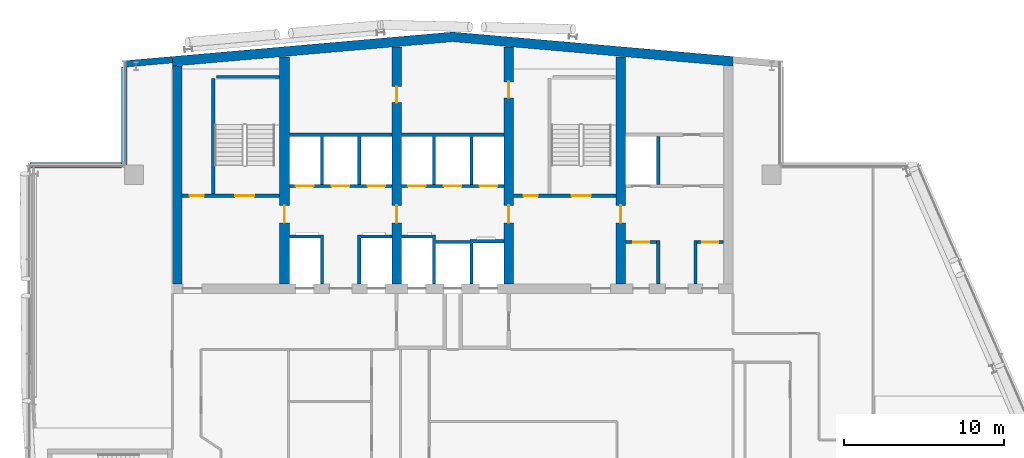
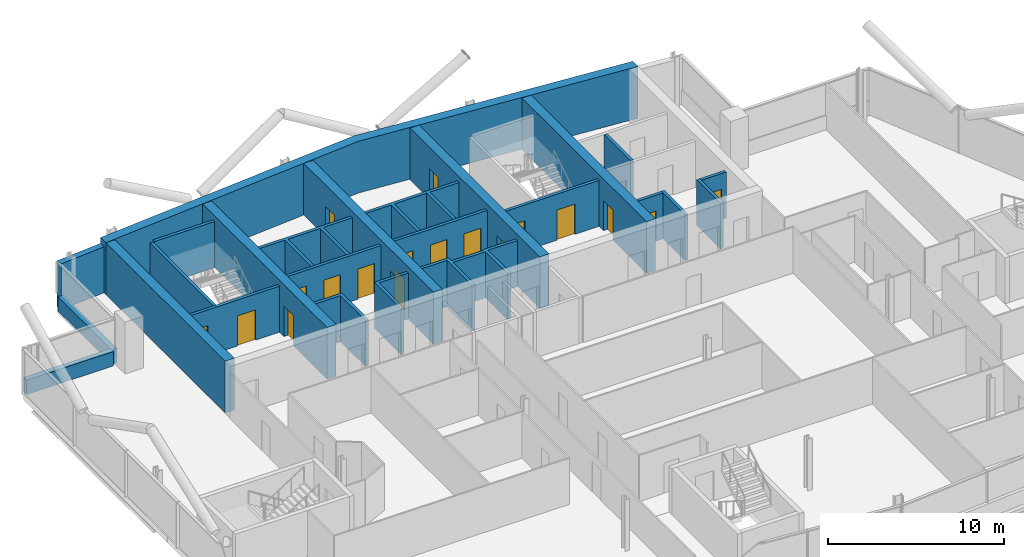
# One storey, part 18 of 27: 25 walls, 18 doors, 18 openings.
"""IFC4 building model written with IfcOpenShell, lengths in metres."""

from ifc_helpers import new_model, si_unit, direction, frame, frame_2d, origin, place, context, subcontext, project, spatial, polyline, rectangle, outline, extrude, material, layer, layer_set, type_object, element, fill, save


model = new_model("IFC4")

# Units and contexts
model_context = context("Model", 3, precision=1e-05, world=origin(), true_north=direction((0.0, 1.0)))
body_context = subcontext(model_context, "Body", "Model", "MODEL_VIEW")
ifc_project = project(units=[si_unit("LENGTHUNIT", "METRE"), si_unit("AREAUNIT", "SQUARE_METRE"), si_unit("VOLUMEUNIT", "CUBIC_METRE"), si_unit("PLANEANGLEUNIT", "RADIAN"), si_unit("MASSUNIT", "GRAM", prefix="KILO")], contexts=[model_context])

# Site, building, storey
site_placement = place(None, origin())
site = spatial("IfcSite", under=ifc_project, at=site_placement, CompositionType="ELEMENT")
building_placement = place(site_placement, origin())
building = spatial("IfcBuilding", under=site, at=building_placement, Name="Wharfspan Tower", CompositionType="ELEMENT")
storey_placement = place(building_placement, frame((0.0, 0.0, 221.5)))
storey = spatial("IfcBuildingStorey", under=building, at=storey_placement, Name="L55", CompositionType="ELEMENT", Elevation=221.5)

# Wall, opening, door
ifc_material_1 = material(Name="Calcium silicate masonry", Category="masonry")
ifc_layer_1 = layer(ifc_material_1, 0.199951)
ifc_layer_set_1 = layer_set([ifc_layer_1], Name="Calcium silicate masonry")
wall_type_1 = type_object("IfcWallType", Name="Core room wall 200", PredefinedType="PARTITIONING", material=ifc_layer_set_1)
wall_1_placement = place(storey_placement, frame((51.300049, 37.199951, 0.0), z_axis=(0.0, 0.0, 1.0), x_axis=(1.0, 0.0, 0.0)))
wall_1 = element("IfcWall", 1, at=wall_1_placement, inside=storey, type_object=wall_type_1, Name="sw:L55:FR6.1", PredefinedType="PARTITIONING", context=body_context, shape_type="SweptSolid", body=[
    extrude(rectangle(XDim=1.93335, YDim=0.199951, at=frame_2d((0.966797, 0.0))), origin(), (0.0, 0.0, 1.0), 3.199951),
])
opening_1_placement = place(wall_1_placement, frame((0.466797, 0.0, 0.0)))
opening_1 = element("IfcOpeningElement", 2, at=opening_1_placement, cuts=wall_1, Name="Opening CD55.6H1", PredefinedType="OPENING", context=body_context, shape_type="SweptSolid", body=[
    extrude(rectangle(XDim=1.0, YDim=2.100098, at=frame_2d((0.5, 1.050049))), frame((0.0, 0.109863, 0.0), z_axis=(0.0, -1.0, 0.0), x_axis=(1.0, 0.0, 0.0)), (0.0, 0.0, 1.0), 0.219971),
])
ifc_material_2 = material(Name="Steel door leaf", Category="steel")
door_type_1 = type_object("IfcDoorType", Name="Core room door 1000x2100", OperationType="SINGLE_SWING_LEFT", PredefinedType="DOOR", material=ifc_material_2)
door_1_placement = place(opening_1_placement, origin())
door_1 = element("IfcDoor", 3, at=door_1_placement, inside=storey, type_object=door_type_1, Name="d:L55:6:fh6.1", OperationType="SINGLE_SWING_RIGHT", OverallHeight=2.100098, OverallWidth=1.0, PredefinedType="DOOR", context=body_context, shape_type="SweptSolid", body=[
    extrude(rectangle(XDim=1.0, YDim=2.100098, at=frame_2d((0.5, 1.050049))), frame((0.0, 0.024902, 0.0), z_axis=(0.0, -1.0, 0.0), x_axis=(1.0, 0.0, 0.0)), (0.0, 0.0, 1.0), 0.050049),
])
fill(opening_1, door_1)

wall_2_placement = place(storey_placement, frame((55.766602, 37.199951, 0.0), z_axis=(0.0, 0.0, 1.0), x_axis=(1.0, 0.0, 0.0)))
wall_2 = element("IfcWall", 4, at=wall_2_placement, inside=storey, type_object=wall_type_1, Name="sw:L55:FR6.3", PredefinedType="PARTITIONING", context=body_context, shape_type="SweptSolid", body=[
    extrude(rectangle(XDim=1.633301, YDim=0.199951, at=frame_2d((0.81665, 0.0))), origin(), (0.0, 0.0, 1.0), 3.199951),
])
opening_2_placement = place(wall_2_placement, frame((0.31665, 0.0, 0.0)))
opening_2 = element("IfcOpeningElement", 5, at=opening_2_placement, cuts=wall_2, Name="Opening CD55.6H3", PredefinedType="OPENING", context=body_context, shape_type="SweptSolid", body=[
    extrude(rectangle(XDim=1.0, YDim=2.100098, at=frame_2d((0.5, 1.050049))), frame((0.0, 0.109863, 0.0), z_axis=(0.0, -1.0, 0.0), x_axis=(1.0, 0.0, 0.0)), (0.0, 0.0, 1.0), 0.219971),
])
door_2_placement = place(opening_2_placement, origin())
door_2 = element("IfcDoor", 6, at=door_2_placement, inside=storey, type_object=door_type_1, Name="d:L55:6:fh6.3", OperationType="SINGLE_SWING_RIGHT", OverallHeight=2.100098, OverallWidth=1.0, PredefinedType="DOOR", context=body_context, shape_type="SweptSolid", body=[
    extrude(rectangle(XDim=1.0, YDim=2.100098, at=frame_2d((0.5, 1.050049))), frame((0.0, 0.024902, 0.0), z_axis=(0.0, -1.0, 0.0), x_axis=(1.0, 0.0, 0.0)), (0.0, 0.0, 1.0), 0.050049),
])
fill(opening_2, door_2)

# Walls
ifc_material_3 = material(Name="Concrete C50/60", Category="concrete")
ifc_layer_2 = layer(ifc_material_3, 0.600098)
ifc_layer_set_2 = layer_set([ifc_layer_2], Name="Concrete C50/60")
wall_type_2 = type_object("IfcWallType", Name="Core wall 600 C50/60", PredefinedType="SHEAR", material=ifc_layer_set_2)
wall_3_placement = place(storey_placement, origin())
element("IfcWall", 7, at=wall_3_placement, inside=storey, type_object=wall_type_2, Name="Core rear wall L55", PredefinedType="SHEAR", context=body_context, shape_type="SweptSolid", body=[
    extrude(outline(polyline([(23.0, 48.185059), (40.5, 49.716064), (58.0, 48.185059), (58.0, 48.787354), (40.5, 50.318359), (23.0, 48.787354), (23.0, 48.185059)])), origin(), (0.0, 0.0, 1.0), 3.600098),
])
wall_4_placement = place(storey_placement, frame((23.300049, 34.600098, 0.0), z_axis=(0.0, 0.0, 1.0), x_axis=(0.0, 1.0, 0.0)))
element("IfcWall", 8, at=wall_4_placement, inside=storey, type_object=wall_type_2, Name="Core cross wall EW0 L55", PredefinedType="SHEAR", context=body_context, shape_type="SweptSolid", body=[
    extrude(rectangle(XDim=13.584961, YDim=0.600098, at=frame_2d((6.79248, 0.0))), origin(), (0.0, 0.0, 1.0), 3.600098),
])

# Wall, opening, door
wall_5_placement = place(storey_placement, frame((30.0, 34.600098, 0.0), z_axis=(0.0, 0.0, 1.0), x_axis=(0.0, 1.0, 0.0)))
wall_5 = element("IfcWall", 9, at=wall_5_placement, inside=storey, type_object=wall_type_2, Name="Core cross wall X3 L55", PredefinedType="SHEAR", context=body_context, shape_type="SweptSolid", body=[
    extrude(rectangle(XDim=14.171143, YDim=0.600098, at=frame_2d((7.085449, 0.0))), origin(), (0.0, 0.0, 1.0), 3.600098),
])
opening_3_placement = place(wall_5_placement, frame((3.800049, 0.0, 0.0)))
opening_3 = element("IfcOpeningElement", 10, at=opening_3_placement, cuts=wall_5, Name="Opening CC55.3", PredefinedType="OPENING", context=body_context, shape_type="SweptSolid", body=[
    extrude(rectangle(XDim=1.100098, YDim=2.100098, at=frame_2d((0.550049, 1.050049))), frame((0.0, 0.310059, 0.0), z_axis=(0.0, -1.0, 0.0), x_axis=(1.0, 0.0, 0.0)), (0.0, 0.0, 1.0), 0.620117),
])
door_type_2 = type_object("IfcDoorType", Name="Core corridor door 1100x2100", OperationType="SINGLE_SWING_LEFT", PredefinedType="DOOR", material=ifc_material_2)
door_3_placement = place(opening_3_placement, origin())
door_3 = element("IfcDoor", 11, at=door_3_placement, inside=storey, type_object=door_type_2, Name="xd:L55:3", OperationType="SINGLE_SWING_LEFT", OverallHeight=2.100098, OverallWidth=1.100098, PredefinedType="DOOR", context=body_context, shape_type="SweptSolid", body=[
    extrude(rectangle(XDim=1.100098, YDim=2.100098, at=frame_2d((0.550049, 1.050049))), frame((0.0, 0.024902, 0.0), z_axis=(0.0, -1.0, 0.0), x_axis=(1.0, 0.0, 0.0)), (0.0, 0.0, 1.0), 0.050049),
])
fill(opening_3, door_3)

# Wall, openings, doors
wall_6_placement = place(storey_placement, frame((37.0, 34.600098, 0.0), z_axis=(0.0, 0.0, 1.0), x_axis=(0.0, 1.0, 0.0)))
wall_6 = element("IfcWall", 12, at=wall_6_placement, inside=storey, type_object=wall_type_2, Name="Core cross wall X4 L55", PredefinedType="SHEAR", context=body_context, shape_type="SweptSolid", body=[
    extrude(rectangle(XDim=14.783691, YDim=0.600098, at=frame_2d((7.391846, 0.0))), origin(), (0.0, 0.0, 1.0), 3.600098),
])
opening_4_placement = place(wall_6_placement, frame((11.302002, 0.0, 0.0)))
opening_4 = element("IfcOpeningElement", 13, at=opening_4_placement, cuts=wall_6, Name="Opening CD55.3X", PredefinedType="OPENING", context=body_context, shape_type="SweptSolid", body=[
    extrude(rectangle(XDim=1.0, YDim=2.100098, at=frame_2d((0.5, 1.050049))), frame((0.0, 0.310059, 0.0), z_axis=(0.0, -1.0, 0.0), x_axis=(1.0, 0.0, 0.0)), (0.0, 0.0, 1.0), 0.620117),
])
opening_5_placement = place(wall_6_placement, frame((3.800049, 0.0, 0.0)))
opening_5 = element("IfcOpeningElement", 14, at=opening_5_placement, cuts=wall_6, Name="Opening CC55.4", PredefinedType="OPENING", context=body_context, shape_type="SweptSolid", body=[
    extrude(rectangle(XDim=1.100098, YDim=2.100098, at=frame_2d((0.550049, 1.050049))), frame((0.0, 0.310059, 0.0), z_axis=(0.0, -1.0, 0.0), x_axis=(1.0, 0.0, 0.0)), (0.0, 0.0, 1.0), 0.620117),
])
door_4_placement = place(opening_5_placement, origin())
door_4 = element("IfcDoor", 15, at=door_4_placement, inside=storey, type_object=door_type_2, Name="xd:L55:4", OperationType="SINGLE_SWING_RIGHT", OverallHeight=2.100098, OverallWidth=1.100098, PredefinedType="DOOR", context=body_context, shape_type="SweptSolid", body=[
    extrude(rectangle(XDim=1.100098, YDim=2.100098, at=frame_2d((0.550049, 1.050049))), frame((0.0, 0.024902, 0.0), z_axis=(0.0, -1.0, 0.0), x_axis=(1.0, 0.0, 0.0)), (0.0, 0.0, 1.0), 0.050049),
])
fill(opening_5, door_4)
door_5_placement = place(opening_4_placement, origin())
door_5 = element("IfcDoor", 16, at=door_5_placement, inside=storey, type_object=door_type_1, Name="d:L55:3:sx", OperationType="SINGLE_SWING_LEFT", OverallHeight=2.100098, OverallWidth=1.0, PredefinedType="DOOR", context=body_context, shape_type="SweptSolid", body=[
    extrude(rectangle(XDim=1.0, YDim=2.100098, at=frame_2d((0.5, 1.050049))), frame((0.0, 0.024902, 0.0), z_axis=(0.0, -1.0, 0.0), x_axis=(1.0, 0.0, 0.0)), (0.0, 0.0, 1.0), 0.050049),
])
fill(opening_4, door_5)

wall_7_placement = place(storey_placement, frame((44.0, 34.600098, 0.0), z_axis=(0.0, 0.0, 1.0), x_axis=(0.0, 1.0, 0.0)))
wall_7 = element("IfcWall", 17, at=wall_7_placement, inside=storey, type_object=wall_type_2, Name="Core cross wall X5 L55", PredefinedType="SHEAR", context=body_context, shape_type="SweptSolid", body=[
    extrude(rectangle(XDim=14.783691, YDim=0.600098, at=frame_2d((7.391846, 0.0))), origin(), (0.0, 0.0, 1.0), 3.600098),
])
opening_6_placement = place(wall_7_placement, frame((11.608154, 0.0, 0.0)))
opening_6 = element("IfcOpeningElement", 18, at=opening_6_placement, cuts=wall_7, Name="Opening CD55.4X", PredefinedType="OPENING", context=body_context, shape_type="SweptSolid", body=[
    extrude(rectangle(XDim=1.0, YDim=2.100098, at=frame_2d((0.5, 1.050049))), frame((0.0, 0.310059, 0.0), z_axis=(0.0, -1.0, 0.0), x_axis=(1.0, 0.0, 0.0)), (0.0, 0.0, 1.0), 0.620117),
])
opening_7_placement = place(wall_7_placement, frame((3.800049, 0.0, 0.0)))
opening_7 = element("IfcOpeningElement", 19, at=opening_7_placement, cuts=wall_7, Name="Opening CC55.5", PredefinedType="OPENING", context=body_context, shape_type="SweptSolid", body=[
    extrude(rectangle(XDim=1.100098, YDim=2.100098, at=frame_2d((0.550049, 1.050049))), frame((0.0, 0.310059, 0.0), z_axis=(0.0, -1.0, 0.0), x_axis=(1.0, 0.0, 0.0)), (0.0, 0.0, 1.0), 0.620117),
])
door_6_placement = place(opening_7_placement, origin())
door_6 = element("IfcDoor", 20, at=door_6_placement, inside=storey, type_object=door_type_2, Name="xd:L55:5", OperationType="SINGLE_SWING_LEFT", OverallHeight=2.100098, OverallWidth=1.100098, PredefinedType="DOOR", context=body_context, shape_type="SweptSolid", body=[
    extrude(rectangle(XDim=1.100098, YDim=2.100098, at=frame_2d((0.550049, 1.050049))), frame((0.0, 0.024902, 0.0), z_axis=(0.0, -1.0, 0.0), x_axis=(1.0, 0.0, 0.0)), (0.0, 0.0, 1.0), 0.050049),
])
fill(opening_7, door_6)
door_7_placement = place(opening_6_placement, origin())
door_7 = element("IfcDoor", 21, at=door_7_placement, inside=storey, type_object=door_type_1, Name="d:L55:4:sx", OperationType="SINGLE_SWING_LEFT", OverallHeight=2.100098, OverallWidth=1.0, PredefinedType="DOOR", context=body_context, shape_type="SweptSolid", body=[
    extrude(rectangle(XDim=1.0, YDim=2.100098, at=frame_2d((0.5, 1.050049))), frame((0.0, 0.024902, 0.0), z_axis=(0.0, -1.0, 0.0), x_axis=(1.0, 0.0, 0.0)), (0.0, 0.0, 1.0), 0.050049),
])
fill(opening_6, door_7)

# Wall, opening, door
wall_8_placement = place(storey_placement, frame((51.0, 34.600098, 0.0), z_axis=(0.0, 0.0, 1.0), x_axis=(0.0, 1.0, 0.0)))
wall_8 = element("IfcWall", 22, at=wall_8_placement, inside=storey, type_object=wall_type_2, Name="Core cross wall X6 L55", PredefinedType="SHEAR", context=body_context, shape_type="SweptSolid", body=[
    extrude(rectangle(XDim=14.171143, YDim=0.600098, at=frame_2d((7.085449, 0.0))), origin(), (0.0, 0.0, 1.0), 3.600098),
])
opening_8_placement = place(wall_8_placement, frame((3.800049, 0.0, 0.0)))
opening_8 = element("IfcOpeningElement", 23, at=opening_8_placement, cuts=wall_8, Name="Opening CC55.6", PredefinedType="OPENING", context=body_context, shape_type="SweptSolid", body=[
    extrude(rectangle(XDim=1.100098, YDim=2.100098, at=frame_2d((0.550049, 1.050049))), frame((0.0, 0.310059, 0.0), z_axis=(0.0, -1.0, 0.0), x_axis=(1.0, 0.0, 0.0)), (0.0, 0.0, 1.0), 0.620117),
])
door_8_placement = place(opening_8_placement, origin())
door_8 = element("IfcDoor", 24, at=door_8_placement, inside=storey, type_object=door_type_2, Name="xd:L55:6", OperationType="SINGLE_SWING_RIGHT", OverallHeight=2.100098, OverallWidth=1.100098, PredefinedType="DOOR", context=body_context, shape_type="SweptSolid", body=[
    extrude(rectangle(XDim=1.100098, YDim=2.100098, at=frame_2d((0.550049, 1.050049))), frame((0.0, 0.024902, 0.0), z_axis=(0.0, -1.0, 0.0), x_axis=(1.0, 0.0, 0.0)), (0.0, 0.0, 1.0), 0.050049),
])
fill(opening_8, door_8)

# Wall, openings, doors
ifc_material_4 = material(Name="Concrete C30/37", Category="concrete")
ifc_layer_3 = layer(ifc_material_4, 0.199951)
ifc_layer_set_3 = layer_set([ifc_layer_3], Name="Concrete C30/37")
wall_type_3 = type_object("IfcWallType", Name="Lift shaft wall 200", PredefinedType="PARTITIONING", material=ifc_layer_set_3)
wall_9_placement = place(storey_placement, frame((30.300049, 40.699951, 0.0), z_axis=(0.0, 0.0, 1.0), x_axis=(1.0, 0.0, 0.0)))
wall_9 = element("IfcWall", 25, at=wall_9_placement, inside=storey, type_object=wall_type_3, Name="sw:L55:RF3", PredefinedType="PARTITIONING", context=body_context, shape_type="SweptSolid", body=[
    extrude(rectangle(XDim=6.399902, YDim=0.199951, at=frame_2d((3.199951, 0.0))), origin(), (0.0, 0.0, 1.0), 3.199951),
])
opening_9_placement = place(wall_9_placement, frame((0.416748, 0.0, 0.0)))
opening_9 = element("IfcOpeningElement", 26, at=opening_9_placement, cuts=wall_9, Name="Opening LD.LB1.L55", PredefinedType="OPENING", context=body_context, shape_type="SweptSolid", body=[
    extrude(rectangle(XDim=1.100098, YDim=2.100098, at=frame_2d((0.550049, 1.050049))), frame((0.0, 0.109863, 0.0), z_axis=(0.0, -1.0, 0.0), x_axis=(1.0, 0.0, 0.0)), (0.0, 0.0, 1.0), 0.219971),
])
opening_10_placement = place(wall_9_placement, frame((2.649902, 0.0, 0.0)))
opening_10 = element("IfcOpeningElement", 27, at=opening_10_placement, cuts=wall_9, Name="Opening LD.LB2.L55", PredefinedType="OPENING", context=body_context, shape_type="SweptSolid", body=[
    extrude(rectangle(XDim=1.100098, YDim=2.100098, at=frame_2d((0.550049, 1.050049))), frame((0.0, 0.109863, 0.0), z_axis=(0.0, -1.0, 0.0), x_axis=(1.0, 0.0, 0.0)), (0.0, 0.0, 1.0), 0.219971),
])
opening_11_placement = place(wall_9_placement, frame((4.883301, 0.0, 0.0)))
opening_11 = element("IfcOpeningElement", 28, at=opening_11_placement, cuts=wall_9, Name="Opening LD.LB3.L55", PredefinedType="OPENING", context=body_context, shape_type="SweptSolid", body=[
    extrude(rectangle(XDim=1.100098, YDim=2.100098, at=frame_2d((0.550049, 1.050049))), frame((0.0, 0.109863, 0.0), z_axis=(0.0, -1.0, 0.0), x_axis=(1.0, 0.0, 0.0)), (0.0, 0.0, 1.0), 0.219971),
])
ifc_material_5 = material(Name="Stainless steel", Category="steel")
door_type_3 = type_object("IfcDoorType", Name="Lift landing door 1100x2100", OperationType="DOUBLE_DOOR_SLIDING", PredefinedType="DOOR", material=ifc_material_5)
door_9_placement = place(opening_9_placement, origin())
door_9 = element("IfcDoor", 29, at=door_9_placement, inside=storey, type_object=door_type_3, Name="Landing door LB1 L55", OperationType="DOUBLE_DOOR_SLIDING", OverallHeight=2.100098, OverallWidth=1.100098, PredefinedType="DOOR", context=body_context, shape_type="SweptSolid", body=[
    extrude(rectangle(XDim=1.100098, YDim=2.100098, at=frame_2d((0.550049, 1.050049))), frame((0.0, 0.024902, 0.0), z_axis=(0.0, -1.0, 0.0), x_axis=(1.0, 0.0, 0.0)), (0.0, 0.0, 1.0), 0.050049),
])
fill(opening_9, door_9)
door_10_placement = place(opening_10_placement, origin())
door_10 = element("IfcDoor", 30, at=door_10_placement, inside=storey, type_object=door_type_3, Name="Landing door LB2 L55", OperationType="DOUBLE_DOOR_SLIDING", OverallHeight=2.100098, OverallWidth=1.100098, PredefinedType="DOOR", context=body_context, shape_type="SweptSolid", body=[
    extrude(rectangle(XDim=1.100098, YDim=2.100098, at=frame_2d((0.550049, 1.050049))), frame((0.0, 0.024902, 0.0), z_axis=(0.0, -1.0, 0.0), x_axis=(1.0, 0.0, 0.0)), (0.0, 0.0, 1.0), 0.050049),
])
fill(opening_10, door_10)
door_11_placement = place(opening_11_placement, origin())
door_11 = element("IfcDoor", 31, at=door_11_placement, inside=storey, type_object=door_type_3, Name="Landing door LB3 L55", OperationType="DOUBLE_DOOR_SLIDING", OverallHeight=2.100098, OverallWidth=1.100098, PredefinedType="DOOR", context=body_context, shape_type="SweptSolid", body=[
    extrude(rectangle(XDim=1.100098, YDim=2.100098, at=frame_2d((0.550049, 1.050049))), frame((0.0, 0.024902, 0.0), z_axis=(0.0, -1.0, 0.0), x_axis=(1.0, 0.0, 0.0)), (0.0, 0.0, 1.0), 0.050049),
])
fill(opening_11, door_11)

# Walls
wall_10_placement = place(storey_placement, frame((0.0, 0.0, -0.000244)))
element("IfcWall", 32, at=wall_10_placement, inside=storey, type_object=wall_type_3, Name="sw:L55:FM3.0", PredefinedType="PARTITIONING", context=body_context, shape_type="SweptSolid", body=[
    extrude(outline(polyline([(32.233398, 37.449951), (30.300049, 37.449951), (30.300049, 37.649902), (32.233398, 37.649902), (32.43335, 37.649902), (32.43335, 34.600098), (32.233398, 34.600098), (32.233398, 37.449951)])), origin(), (0.0, 0.0, 1.0), 3.200195),
])
wall_11_placement = place(storey_placement, frame((0.0, 0.0, -0.000244)))
element("IfcWall", 33, at=wall_11_placement, inside=storey, type_object=wall_type_3, Name="sw:L55:FM3.1", PredefinedType="PARTITIONING", context=body_context, shape_type="SweptSolid", body=[
    extrude(outline(polyline([(34.56665, 37.649902), (34.766602, 37.649902), (36.699951, 37.649902), (36.699951, 37.449951), (34.766602, 37.449951), (34.766602, 34.600098), (34.56665, 34.600098), (34.56665, 37.649902)])), origin(), (0.0, 0.0, 1.0), 3.200195),
])
wall_12_placement = place(storey_placement, frame((0.0, 0.0, -0.000244)))
element("IfcWall", 34, at=wall_12_placement, inside=storey, type_object=wall_type_3, Name="sw:L55:RM3.0", PredefinedType="PARTITIONING", context=body_context, shape_type="SweptSolid", body=[
    extrude(outline(polyline([(32.43335, 40.800049), (32.233398, 40.800049), (32.233398, 43.800049), (30.300049, 43.800049), (30.300049, 44.0), (36.699951, 44.0), (36.699951, 43.800049), (34.766602, 43.800049), (34.766602, 40.800049), (34.56665, 40.800049), (34.56665, 43.800049), (32.43335, 43.800049), (32.43335, 40.800049)])), origin(), (0.0, 0.0, 1.0), 3.200195),
])

# Wall, openings, doors
wall_13_placement = place(storey_placement, frame((37.300049, 40.699951, 0.0), z_axis=(0.0, 0.0, 1.0), x_axis=(1.0, 0.0, 0.0)))
wall_13 = element("IfcWall", 35, at=wall_13_placement, inside=storey, type_object=wall_type_3, Name="sw:L55:RF4", PredefinedType="PARTITIONING", context=body_context, shape_type="SweptSolid", body=[
    extrude(rectangle(XDim=6.399902, YDim=0.199951, at=frame_2d((3.199951, 0.0))), origin(), (0.0, 0.0, 1.0), 3.199951),
])
opening_12_placement = place(wall_13_placement, frame((0.416748, 0.0, 0.0)))
opening_12 = element("IfcOpeningElement", 36, at=opening_12_placement, cuts=wall_13, Name="Opening LD.LB4.L55", PredefinedType="OPENING", context=body_context, shape_type="SweptSolid", body=[
    extrude(rectangle(XDim=1.100098, YDim=2.100098, at=frame_2d((0.550049, 1.050049))), frame((0.0, 0.109863, 0.0), z_axis=(0.0, -1.0, 0.0), x_axis=(1.0, 0.0, 0.0)), (0.0, 0.0, 1.0), 0.219971),
])
opening_13_placement = place(wall_13_placement, frame((2.649902, 0.0, 0.0)))
opening_13 = element("IfcOpeningElement", 37, at=opening_13_placement, cuts=wall_13, Name="Opening LD.LB5.L55", PredefinedType="OPENING", context=body_context, shape_type="SweptSolid", body=[
    extrude(rectangle(XDim=1.100098, YDim=2.100098, at=frame_2d((0.550049, 1.050049))), frame((0.0, 0.109863, 0.0), z_axis=(0.0, -1.0, 0.0), x_axis=(1.0, 0.0, 0.0)), (0.0, 0.0, 1.0), 0.219971),
])
opening_14_placement = place(wall_13_placement, frame((4.883301, 0.0, 0.0)))
opening_14 = element("IfcOpeningElement", 38, at=opening_14_placement, cuts=wall_13, Name="Opening LD.LB6.L55", PredefinedType="OPENING", context=body_context, shape_type="SweptSolid", body=[
    extrude(rectangle(XDim=1.100098, YDim=2.100098, at=frame_2d((0.550049, 1.050049))), frame((0.0, 0.109863, 0.0), z_axis=(0.0, -1.0, 0.0), x_axis=(1.0, 0.0, 0.0)), (0.0, 0.0, 1.0), 0.219971),
])
door_12_placement = place(opening_12_placement, origin())
door_12 = element("IfcDoor", 39, at=door_12_placement, inside=storey, type_object=door_type_3, Name="Landing door LB4 L55", OperationType="DOUBLE_DOOR_SLIDING", OverallHeight=2.100098, OverallWidth=1.100098, PredefinedType="DOOR", context=body_context, shape_type="SweptSolid", body=[
    extrude(rectangle(XDim=1.100098, YDim=2.100098, at=frame_2d((0.550049, 1.050049))), frame((0.0, 0.024902, 0.0), z_axis=(0.0, -1.0, 0.0), x_axis=(1.0, 0.0, 0.0)), (0.0, 0.0, 1.0), 0.050049),
])
fill(opening_12, door_12)
door_13_placement = place(opening_13_placement, origin())
door_13 = element("IfcDoor", 40, at=door_13_placement, inside=storey, type_object=door_type_3, Name="Landing door LB5 L55", OperationType="DOUBLE_DOOR_SLIDING", OverallHeight=2.100098, OverallWidth=1.100098, PredefinedType="DOOR", context=body_context, shape_type="SweptSolid", body=[
    extrude(rectangle(XDim=1.100098, YDim=2.100098, at=frame_2d((0.550049, 1.050049))), frame((0.0, 0.024902, 0.0), z_axis=(0.0, -1.0, 0.0), x_axis=(1.0, 0.0, 0.0)), (0.0, 0.0, 1.0), 0.050049),
])
fill(opening_13, door_13)
door_14_placement = place(opening_14_placement, origin())
door_14 = element("IfcDoor", 41, at=door_14_placement, inside=storey, type_object=door_type_3, Name="Landing door LB6 L55", OperationType="DOUBLE_DOOR_SLIDING", OverallHeight=2.100098, OverallWidth=1.100098, PredefinedType="DOOR", context=body_context, shape_type="SweptSolid", body=[
    extrude(rectangle(XDim=1.100098, YDim=2.100098, at=frame_2d((0.550049, 1.050049))), frame((0.0, 0.024902, 0.0), z_axis=(0.0, -1.0, 0.0), x_axis=(1.0, 0.0, 0.0)), (0.0, 0.0, 1.0), 0.050049),
])
fill(opening_14, door_14)

# Walls
wall_14_placement = place(storey_placement, frame((0.0, 0.0, -0.000244)))
element("IfcWall", 42, at=wall_14_placement, inside=storey, type_object=wall_type_3, Name="sw:L55:FM4.0", PredefinedType="PARTITIONING", context=body_context, shape_type="SweptSolid", body=[
    extrude(outline(polyline([(41.56665, 37.100098), (39.43335, 37.100098), (39.43335, 34.600098), (39.233398, 34.600098), (39.233398, 37.449951), (37.300049, 37.449951), (37.300049, 37.649902), (39.233398, 37.649902), (39.43335, 37.649902), (39.43335, 37.300049), (41.56665, 37.300049), (41.56665, 37.350098), (41.766602, 37.350098), (43.699951, 37.350098), (43.699951, 37.149902), (41.766602, 37.149902), (41.766602, 34.600098), (41.56665, 34.600098), (41.56665, 37.100098)])), origin(), (0.0, 0.0, 1.0), 3.200195),
])
wall_15_placement = place(storey_placement, frame((0.0, 0.0, -0.000244)))
element("IfcWall", 43, at=wall_15_placement, inside=storey, type_object=wall_type_3, Name="sw:L55:RM4.0", PredefinedType="PARTITIONING", context=body_context, shape_type="SweptSolid", body=[
    extrude(outline(polyline([(39.43335, 40.800049), (39.233398, 40.800049), (39.233398, 43.800049), (37.300049, 43.800049), (37.300049, 44.0), (43.699951, 44.0), (43.699951, 43.800049), (41.766602, 43.800049), (41.766602, 40.800049), (41.56665, 40.800049), (41.56665, 43.800049), (39.43335, 43.800049), (39.43335, 40.800049)])), origin(), (0.0, 0.0, 1.0), 3.200195),
])
wall_16_placement = place(storey_placement, frame((0.0, 0.0, -0.000244)))
element("IfcWall", 44, at=wall_16_placement, inside=storey, type_object=wall_type_3, Name="sw:L55:FM6.0", PredefinedType="PARTITIONING", context=body_context, shape_type="SweptSolid", body=[
    extrude(outline(polyline([(53.233398, 34.600098), (53.233398, 37.300049), (53.43335, 37.300049), (53.43335, 34.600098), (53.233398, 34.600098)])), origin(), (0.0, 0.0, 1.0), 3.200195),
])
wall_17_placement = place(storey_placement, frame((0.0, 0.0, -0.000244)))
element("IfcWall", 45, at=wall_17_placement, inside=storey, type_object=wall_type_3, Name="sw:L55:FM6.1", PredefinedType="PARTITIONING", context=body_context, shape_type="SweptSolid", body=[
    extrude(outline(polyline([(55.56665, 34.600098), (55.56665, 37.300049), (55.766602, 37.300049), (55.766602, 34.600098), (55.56665, 34.600098)])), origin(), (0.0, 0.0, 1.0), 3.200195),
])
wall_18_placement = place(storey_placement, frame((0.0, 0.0, -0.000244)))
element("IfcWall", 46, at=wall_18_placement, inside=storey, type_object=wall_type_3, Name="sw:L55:RM6.0", PredefinedType="PARTITIONING", context=body_context, shape_type="SweptSolid", body=[
    extrude(outline(polyline([(53.43335, 40.800049), (53.43335, 43.800049), (53.233398, 43.800049), (53.233398, 40.800049), (53.43335, 40.800049)])), origin(), (0.0, 0.0, 1.0), 3.200195),
])
ifc_material_6 = material(Name="Concrete C40/50", Category="concrete")
ifc_layer_4 = layer(ifc_material_6, 0.350098)
ifc_layer_set_4 = layer_set([ifc_layer_4], Name="Concrete C40/50")
wall_type_4 = type_object("IfcWallType", Name="SPANDREL EXPOSED CONCRETE 350", PredefinedType="SOLIDWALL", material=ifc_layer_set_4)
wall_19_placement = place(storey_placement, frame((19.995117, 48.126465, 0.0), z_axis=(0.0, 0.0, 1.0), x_axis=(0.0, -1.0, 0.0)))
element("IfcWall", 47, at=wall_19_placement, inside=storey, type_object=wall_type_4, Name="Spandrel upstand L55 NRW-V", PredefinedType="SOLIDWALL", context=body_context, shape_type="SweptSolid", body=[
    extrude(rectangle(XDim=6.126465, YDim=0.350098, at=frame_2d((3.063232, 0.0))), origin(), (0.0, 0.0, 1.0), 1.0),
])
wall_20_placement = place(storey_placement, frame((19.820068, 42.004883, 0.0), z_axis=(0.0, 0.0, 1.0), x_axis=(-1.0, 0.0, 0.0)))
element("IfcWall", 48, at=wall_20_placement, inside=storey, type_object=wall_type_4, Name="Spandrel upstand L55 NRW-H", PredefinedType="SOLIDWALL", context=body_context, shape_type="SweptSolid", body=[
    extrude(rectangle(XDim=5.699951, YDim=0.350098, at=frame_2d((2.850098, 0.0))), origin(), (0.0, 0.0, 1.0), 1.0),
])

# Wall, openings, doors
ifc_layer_5 = layer(ifc_material_6, 0.199951)
ifc_layer_set_5 = layer_set([ifc_layer_5], Name="Concrete C40/50")
wall_type_5 = type_object("IfcWallType", Name="Stair shaft wall 200", PredefinedType="SHEAR", material=ifc_layer_set_5)
wall_21_placement = place(storey_placement, frame((23.600098, 40.100098, 0.0), z_axis=(0.0, 0.0, 1.0), x_axis=(1.0, 0.0, 0.0)))
wall_21 = element("IfcWall", 49, at=wall_21_placement, inside=storey, type_object=wall_type_5, Name="ST1 stair enclosure wall L55", PredefinedType="SHEAR", context=body_context, shape_type="SweptSolid", body=[
    extrude(rectangle(XDim=6.099854, YDim=0.199951, at=frame_2d((3.049805, 0.0))), origin(), (0.0, 0.0, 1.0), 3.199951),
])
opening_15_placement = place(wall_21_placement, frame((3.324951, 0.0, 0.0)))
opening_15 = element("IfcOpeningElement", 50, at=opening_15_placement, cuts=wall_21, Name="Opening SD2.L55", PredefinedType="OPENING", context=body_context, shape_type="SweptSolid", body=[
    extrude(rectangle(XDim=1.199951, YDim=2.100098, at=frame_2d((0.600098, 1.050049))), frame((0.0, 0.109863, 0.0), z_axis=(0.0, -1.0, 0.0), x_axis=(1.0, 0.0, 0.0)), (0.0, 0.0, 1.0), 0.219971),
])
opening_16_placement = place(wall_21_placement, frame((0.475098, 0.0, 0.0)))
opening_16 = element("IfcOpeningElement", 51, at=opening_16_placement, cuts=wall_21, Name="Opening CD55.2R", PredefinedType="OPENING", context=body_context, shape_type="SweptSolid", body=[
    extrude(rectangle(XDim=0.899902, YDim=2.100098, at=frame_2d((0.449951, 1.050049))), frame((0.0, 0.109863, 0.0), z_axis=(0.0, -1.0, 0.0), x_axis=(1.0, 0.0, 0.0)), (0.0, 0.0, 1.0), 0.219971),
])
door_15_placement = place(opening_16_placement, origin())
door_15 = element("IfcDoor", 52, at=door_15_placement, inside=storey, type_object=door_type_1, Name="rk:L55:2", OperationType="SINGLE_SWING_LEFT", OverallHeight=2.100098, OverallWidth=0.899902, PredefinedType="DOOR", context=body_context, shape_type="SweptSolid", body=[
    extrude(rectangle(XDim=0.899902, YDim=2.100098, at=frame_2d((0.449951, 1.050049))), frame((0.0, 0.024902, 0.0), z_axis=(0.0, -1.0, 0.0), x_axis=(1.0, 0.0, 0.0)), (0.0, 0.0, 1.0), 0.050049),
])
fill(opening_16, door_15)
door_type_4 = type_object("IfcDoorType", Name="Stair door 1200x2100", OperationType="SINGLE_SWING_LEFT", PredefinedType="DOOR", material=ifc_material_2)
door_16_placement = place(opening_15_placement, origin())
door_16 = element("IfcDoor", 53, at=door_16_placement, inside=storey, type_object=door_type_4, Name="sd:L55:2", OperationType="SINGLE_SWING_RIGHT", OverallHeight=2.100098, OverallWidth=1.199951, PredefinedType="DOOR", context=body_context, shape_type="SweptSolid", body=[
    extrude(rectangle(XDim=1.199951, YDim=2.100098, at=frame_2d((0.600098, 1.050049))), frame((0.0, 0.024902, 0.0), z_axis=(0.0, -1.0, 0.0), x_axis=(1.0, 0.0, 0.0)), (0.0, 0.0, 1.0), 0.050049),
])
fill(opening_15, door_16)

# Walls
wall_22_placement = place(storey_placement, frame((25.550049, 40.199951, 0.0), z_axis=(0.0, 0.0, 1.0), x_axis=(0.0, 1.0, 0.0)))
element("IfcWall", 54, at=wall_22_placement, inside=storey, type_object=wall_type_5, Name="ST1 stair enclosure wall L55", PredefinedType="SHEAR", context=body_context, shape_type="SweptSolid", body=[
    extrude(rectangle(XDim=7.199951, YDim=0.199951, at=frame_2d((3.600098, 0.0))), origin(), (0.0, 0.0, 1.0), 3.199951),
])
wall_23_placement = place(storey_placement, frame((25.75, 47.5, 0.0), z_axis=(0.0, 0.0, 1.0), x_axis=(1.0, 0.0, 0.0)))
element("IfcWall", 55, at=wall_23_placement, inside=storey, type_object=wall_type_5, Name="ST1 stair enclosure wall L55", PredefinedType="SHEAR", context=body_context, shape_type="SweptSolid", body=[
    extrude(rectangle(XDim=3.949951, YDim=0.199951, at=frame_2d((1.975098, 0.0))), origin(), (0.0, 0.0, 1.0), 3.199951),
])

# Wall, openings, doors
wall_24_placement = place(storey_placement, frame((44.300049, 40.100098, 0.0), z_axis=(0.0, 0.0, 1.0), x_axis=(1.0, 0.0, 0.0)))
wall_24 = element("IfcWall", 56, at=wall_24_placement, inside=storey, type_object=wall_type_5, Name="ST2 stair enclosure wall L55", PredefinedType="SHEAR", context=body_context, shape_type="SweptSolid", body=[
    extrude(rectangle(XDim=6.399902, YDim=0.199951, at=frame_2d((3.199951, 0.0))), origin(), (0.0, 0.0, 1.0), 3.199951),
])
opening_17_placement = place(wall_24_placement, frame((3.625, 0.0, 0.0)))
opening_17 = element("IfcOpeningElement", 57, at=opening_17_placement, cuts=wall_24, Name="Opening SD5.L55", PredefinedType="OPENING", context=body_context, shape_type="SweptSolid", body=[
    extrude(rectangle(XDim=1.199951, YDim=2.100098, at=frame_2d((0.600098, 1.050049))), frame((0.0, 0.109863, 0.0), z_axis=(0.0, -1.0, 0.0), x_axis=(1.0, 0.0, 0.0)), (0.0, 0.0, 1.0), 0.219971),
])
opening_18_placement = place(wall_24_placement, frame((0.625, 0.0, 0.0)))
opening_18 = element("IfcOpeningElement", 58, at=opening_18_placement, cuts=wall_24, Name="Opening CD55.5R", PredefinedType="OPENING", context=body_context, shape_type="SweptSolid", body=[
    extrude(rectangle(XDim=0.899902, YDim=2.100098, at=frame_2d((0.449951, 1.050049))), frame((0.0, 0.109863, 0.0), z_axis=(0.0, -1.0, 0.0), x_axis=(1.0, 0.0, 0.0)), (0.0, 0.0, 1.0), 0.219971),
])
door_17_placement = place(opening_18_placement, origin())
door_17 = element("IfcDoor", 59, at=door_17_placement, inside=storey, type_object=door_type_1, Name="rk:L55:5", OperationType="SINGLE_SWING_LEFT", OverallHeight=2.100098, OverallWidth=0.899902, PredefinedType="DOOR", context=body_context, shape_type="SweptSolid", body=[
    extrude(rectangle(XDim=0.899902, YDim=2.100098, at=frame_2d((0.449951, 1.050049))), frame((0.0, 0.024902, 0.0), z_axis=(0.0, -1.0, 0.0), x_axis=(1.0, 0.0, 0.0)), (0.0, 0.0, 1.0), 0.050049),
])
fill(opening_18, door_17)
door_18_placement = place(opening_17_placement, origin())
door_18 = element("IfcDoor", 60, at=door_18_placement, inside=storey, type_object=door_type_4, Name="sd:L55:5", OperationType="SINGLE_SWING_RIGHT", OverallHeight=2.100098, OverallWidth=1.199951, PredefinedType="DOOR", context=body_context, shape_type="SweptSolid", body=[
    extrude(rectangle(XDim=1.199951, YDim=2.100098, at=frame_2d((0.600098, 1.050049))), frame((0.0, 0.024902, 0.0), z_axis=(0.0, -1.0, 0.0), x_axis=(1.0, 0.0, 0.0)), (0.0, 0.0, 1.0), 0.050049),
])
fill(opening_17, door_18)

# Wall
ifc_layer_6 = layer(ifc_material_6, 0.399902)
ifc_layer_set_6 = layer_set([ifc_layer_6], Name="Concrete C40/50")
wall_type_6 = type_object("IfcWallType", Name="WALL EXPOSED CONCRETE 400", PredefinedType="SOLIDWALL", material=ifc_layer_set_6)
wall_25_placement = place(storey_placement, frame((23.0, 48.58667, 0.0), z_axis=(0.0, 0.0, 1.0), x_axis=(-0.996194, -0.087168, 0.0)))
element("IfcWall", 61, at=wall_25_placement, inside=storey, type_object=wall_type_6, Name="Rear wall N1", PredefinedType="SOLIDWALL", context=body_context, shape_type="SweptSolid", body=[
    extrude(rectangle(XDim=2.994141, YDim=0.399902, at=frame_2d((1.49707, 0.0))), origin(), (0.0, 0.0, 1.0), 3.199951),
])

save(model, "model.ifc")
